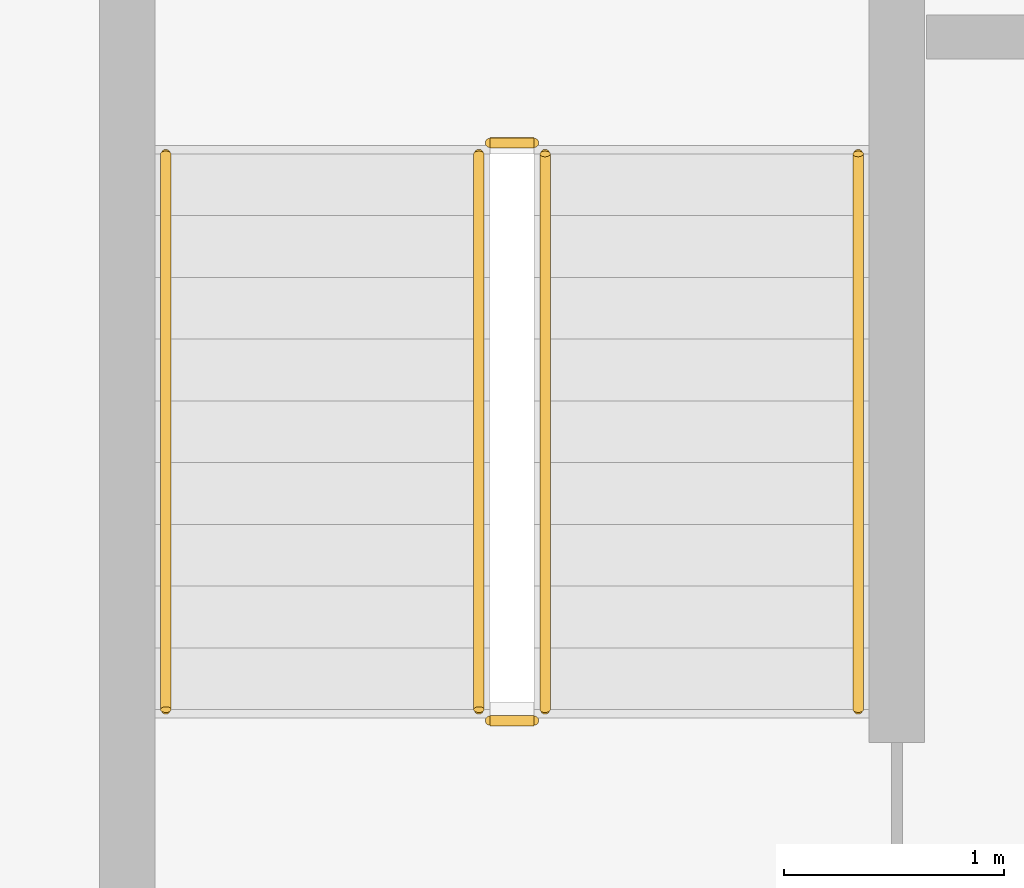
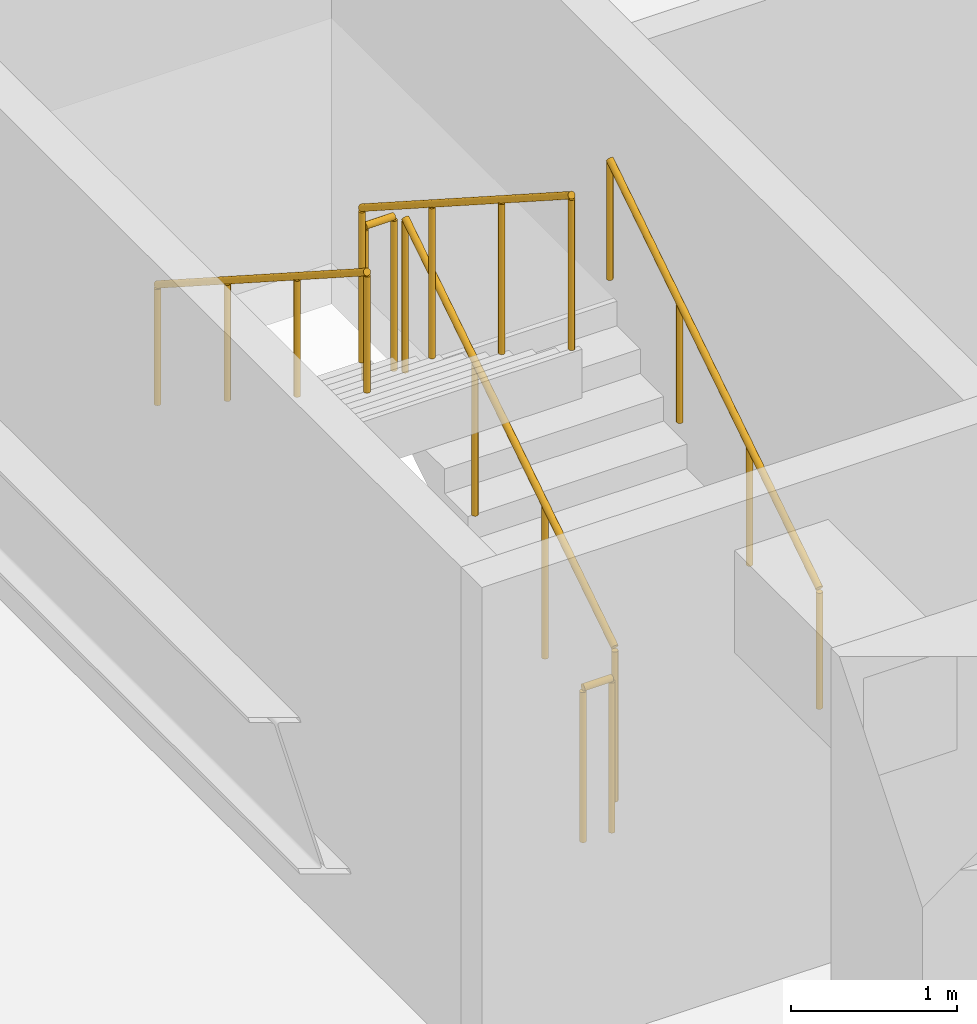
# One storey, part 20 of 22: 6 railings.
"""IFC4 building model written with IfcOpenShell, lengths in metres."""

from ifc_helpers import new_model, si_unit, direction, frame, origin, origin_2d, place, context, subcontext, project, spatial, circle, extrude, material, type_object, element, save


model = new_model("IFC4")

# Units and contexts
model_context = context("Model", 3, precision=1e-05, world=origin(), true_north=direction((0.0, 1.0)))
body_context = subcontext(model_context, "Body", "Model", "MODEL_VIEW")
ifc_project = project(units=[si_unit("LENGTHUNIT", "METRE"), si_unit("AREAUNIT", "SQUARE_METRE"), si_unit("VOLUMEUNIT", "CUBIC_METRE"), si_unit("PLANEANGLEUNIT", "RADIAN"), si_unit("MASSUNIT", "GRAM", prefix="KILO")], contexts=[model_context])

# Site, building, storey
site_placement = place(None, origin())
site = spatial("IfcSite", under=ifc_project, at=site_placement, CompositionType="ELEMENT")
building_placement = place(site_placement, origin())
building = spatial("IfcBuilding", under=site, at=building_placement, Name="Korimba Cascade Residences", CompositionType="ELEMENT")
storey_placement = place(building_placement, frame((0.0, 0.0, -7.199951171875)))
storey = spatial("IfcBuildingStorey", under=building, at=storey_placement, Name="B02", CompositionType="ELEMENT", Elevation=-7.199951171875)

# Railings
ifc_material_1 = material(Name="Painted Steel Stairwell Guardrail", Category="steel")
railing_type_1 = type_object("IfcRailingType", Name="RLG-ST-GD1150", PredefinedType="GUARDRAIL", material=ifc_material_1)
railing_1_placement = place(storey_placement, frame((59.77001953125, 83.64990234375, 0.179931640625)))
element("IfcRailing", 1, at=railing_1_placement, inside=storey, type_object=railing_type_1, Name="B02 ST-P5 stair guard 1", PredefinedType="GUARDRAIL", context=body_context, shape_type="SweptSolid", body=[
    extrude(circle(Radius=0.02392578125, at=origin_2d()), frame((0.0, 0.0, 1.1259765625), z_axis=(0.0, 0.841162588446, 0.540782303519), x_axis=(-1.0, 0.0, 0.0)), (0.0, 0.0, 1.0), 2.995849609375),
    extrude(circle(Radius=0.02099609375, at=origin_2d()), origin(), (0.0, 0.0, 1.0), 1.101806640625),
    extrude(circle(Radius=0.02099609375, at=origin_2d()), frame((0.0, 0.840087890625, 0.5400390625)), (0.0, 0.0, 1.0), 1.101806640625),
    extrude(circle(Radius=0.02099609375, at=origin_2d()), frame((0.0, 1.679931640625, 1.080078125)), (0.0, 0.0, 1.0), 1.101806640625),
    extrude(circle(Radius=0.02099609375, at=origin_2d()), frame((0.0, 2.52001953125, 1.6201171875)), (0.0, 0.0, 1.0), 1.101806640625),
])
railing_2_placement = place(storey_placement, frame((59.719970703125, 86.219970703125, 1.800048828125)))
element("IfcRailing", 2, at=railing_2_placement, inside=storey, type_object=railing_type_1, Name="B02 ST-P5 stair guard 2", PredefinedType="GUARDRAIL", context=body_context, shape_type="SweptSolid", body=[
    extrude(circle(Radius=0.02392578125, at=origin_2d()), frame((0.0, 0.0, 1.1259765625), z_axis=(-1.0, 0.0, 0.0), x_axis=(0.0, -1.0, 0.0)), (0.0, 0.0, 1.0), 0.199951171875),
    extrude(circle(Radius=0.02099609375, at=origin_2d()), origin(), (0.0, 0.0, 1.0), 1.101806640625),
    extrude(circle(Radius=0.02099609375, at=origin_2d()), frame((-0.199951171875, 0.0, 0.0)), (0.0, 0.0, 1.0), 1.101806640625),
])
railing_3_placement = place(storey_placement, frame((59.469970703125, 86.169921875, 1.97998046875)))
element("IfcRailing", 3, at=railing_3_placement, inside=storey, type_object=railing_type_1, Name="B02 ST-P5 stair guard 3", PredefinedType="GUARDRAIL", context=body_context, shape_type="SweptSolid", body=[
    extrude(circle(Radius=0.02392578125, at=origin_2d()), frame((0.0, 0.0, 1.1259765625), z_axis=(0.0, -0.841199657755, 0.540724639528), x_axis=(1.0, 0.0, 0.0)), (0.0, 0.0, 1.0), 2.995849609375),
    extrude(circle(Radius=0.02099609375, at=origin_2d()), origin(), (0.0, 0.0, 1.0), 1.101806640625),
    extrude(circle(Radius=0.02099609375, at=origin_2d()), frame((0.0, -0.840087890625, 0.5400390625)), (0.0, 0.0, 1.0), 1.101806640625),
    extrude(circle(Radius=0.02099609375, at=origin_2d()), frame((0.0, -1.679931640625, 1.079833984375)), (0.0, 0.0, 1.0), 1.101806640625),
    extrude(circle(Radius=0.02099609375, at=origin_2d()), frame((0.0, -2.52001953125, 1.619873046875)), (0.0, 0.0, 1.0), 1.101806640625),
])
railing_4_placement = place(storey_placement, frame((59.719970703125, 83.60009765625, 0.0)))
element("IfcRailing", 4, at=railing_4_placement, inside=storey, type_object=railing_type_1, Name="B02 ST-P5 stair guard 4", PredefinedType="GUARDRAIL", context=body_context, shape_type="SweptSolid", body=[
    extrude(circle(Radius=0.02392578125, at=origin_2d()), frame((0.0, 0.0, 1.1259765625), z_axis=(-1.0, 0.0, 0.0), x_axis=(0.0, -1.0, 0.0)), (0.0, 0.0, 1.0), 0.199951171875),
    extrude(circle(Radius=0.02099609375, at=origin_2d()), origin(), (0.0, 0.0, 1.0), 1.101806640625),
    extrude(circle(Radius=0.02099609375, at=origin_2d()), frame((-0.199951171875, 0.0, 0.0)), (0.0, 0.0, 1.0), 1.101806640625),
])
ifc_material_2 = material(Name="Brushed Stainless Steel Handrail", Category="steel")
railing_type_2 = type_object("IfcRailingType", Name="RLG-ST-HR900", PredefinedType="HANDRAIL", material=ifc_material_2)
railing_5_placement = place(storey_placement, frame((61.18994140625, 83.64990234375, 0.36376953125)))
element("IfcRailing", 5, at=railing_5_placement, inside=storey, type_object=railing_type_2, Name="B02 ST-P5 stair handrail 1", PredefinedType="HANDRAIL", context=body_context, shape_type="SweptSolid", body=[
    extrude(circle(Radius=0.02392578125, at=origin_2d()), frame((0.0, 0.0, 0.8759765625), z_axis=(0.0, 0.841199657755, 0.540724639528), x_axis=(-1.0, 0.0, 0.0)), (0.0, 0.0, 1.0), 2.995849609375),
    extrude(circle(Radius=0.02099609375, at=origin_2d()), origin(), (0.0, 0.0, 1.0), 0.851806640625),
    extrude(circle(Radius=0.02099609375, at=origin_2d()), frame((0.0, 0.840087890625, 0.5400390625)), (0.0, 0.0, 1.0), 0.851806640625),
    extrude(circle(Radius=0.02099609375, at=origin_2d()), frame((0.0, 1.679931640625, 1.079833984375)), (0.0, 0.0, 1.0), 0.851806640625),
    extrude(circle(Radius=0.02099609375, at=origin_2d()), frame((0.0, 2.52001953125, 1.619873046875)), (0.0, 0.0, 1.0), 0.851806640625),
])
railing_6_placement = place(storey_placement, frame((58.050048828125, 86.169921875, 2.163818359375)))
element("IfcRailing", 6, at=railing_6_placement, inside=storey, type_object=railing_type_2, Name="B02 ST-P5 stair handrail 2", PredefinedType="HANDRAIL", context=body_context, shape_type="SweptSolid", body=[
    extrude(circle(Radius=0.02392578125, at=origin_2d()), frame((0.0, 0.0, 0.8759765625), z_axis=(0.0, -0.841199657755, 0.540724639528), x_axis=(1.0, 0.0, 0.0)), (0.0, 0.0, 1.0), 2.995849609375),
    extrude(circle(Radius=0.02099609375, at=origin_2d()), origin(), (0.0, 0.0, 1.0), 0.851806640625),
    extrude(circle(Radius=0.02099609375, at=origin_2d()), frame((0.0, -0.840087890625, 0.5400390625)), (0.0, 0.0, 1.0), 0.851806640625),
    extrude(circle(Radius=0.02099609375, at=origin_2d()), frame((0.0, -1.679931640625, 1.079833984375)), (0.0, 0.0, 1.0), 0.851806640625),
    extrude(circle(Radius=0.02099609375, at=origin_2d()), frame((0.0, -2.52001953125, 1.619873046875)), (0.0, 0.0, 1.0), 0.851806640625),
])

save(model, "model.ifc")
